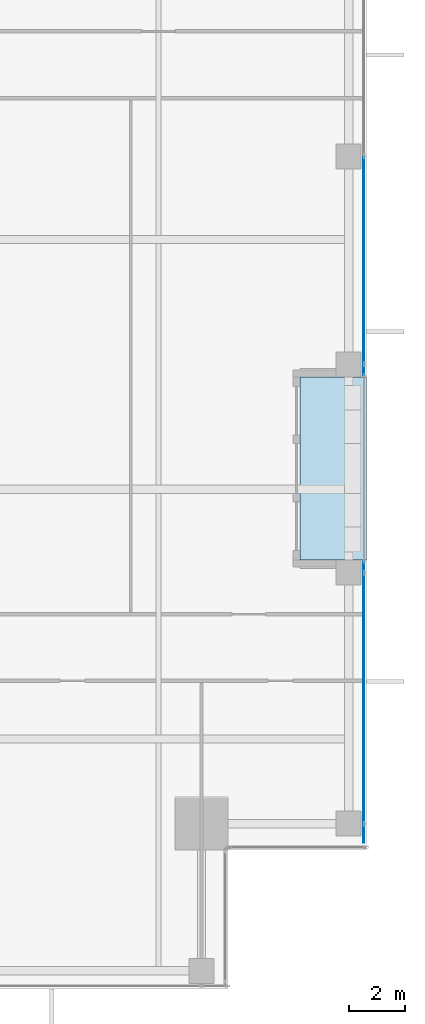
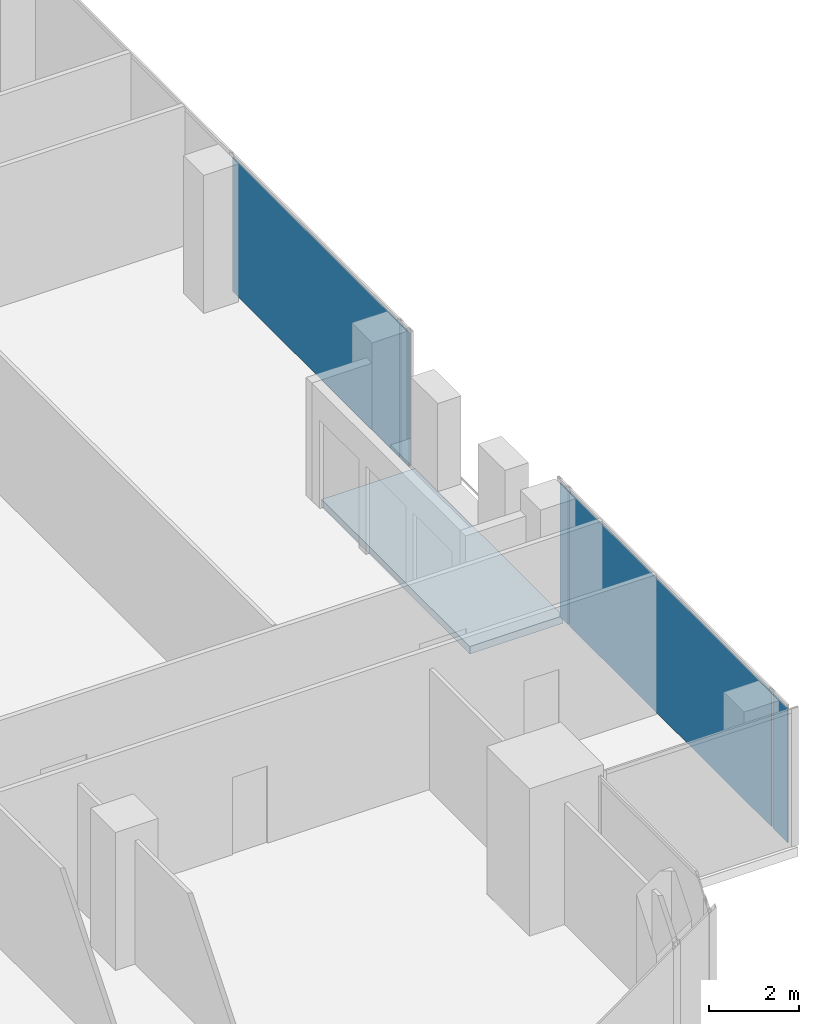
# One storey, part 28 of 36: 5 plates, 1 slab, 2 elements without a shape of their own.
"""IFC4 building model written with IfcOpenShell, lengths in metres."""

from ifc_helpers import new_model, si_unit, direction, frame, origin, origin_2d, place, context, subcontext, project, spatial, polyline, rectangle, outline, extrude, source, transform, mapped, material, layer, layer_set, type_object, element, aggregate, save


model = new_model("IFC4")

# Units and contexts
model_context = context("Model", 3, precision=1e-05, world=origin(), true_north=direction((0.0, 1.0)))
body_context = subcontext(model_context, "Body", "Model", "MODEL_VIEW")
ifc_project = project(units=[si_unit("LENGTHUNIT", "METRE"), si_unit("AREAUNIT", "SQUARE_METRE"), si_unit("VOLUMEUNIT", "CUBIC_METRE"), si_unit("PLANEANGLEUNIT", "RADIAN"), si_unit("MASSUNIT", "GRAM", prefix="KILO")], contexts=[model_context])

# Site, building, storey
site_placement = place(None, origin())
site = spatial("IfcSite", under=ifc_project, at=site_placement, CompositionType="ELEMENT")
building_placement = place(site_placement, origin())
building = spatial("IfcBuilding", under=site, at=building_placement, Name="Khomas Fold Tower", CompositionType="ELEMENT")
storey_placement = place(building_placement, frame((0.0, 0.0, 230.199951171875)))
storey = spatial("IfcBuildingStorey", under=building, at=storey_placement, Name="L51", CompositionType="ELEMENT", Elevation=230.199951171875)

# Curtain wall, plate
ifc_material_1 = material(Name="Aluminium framed double glazing", Category="aluminium")
curtain_wall_type = type_object("IfcCurtainWallType", Name="SK-Unitised clear-glass wall, office floors CW2", PredefinedType="NOTDEFINED", material=ifc_material_1)
curtain_wall_1_placement = place(storey_placement, origin())
curtain_wall_1 = element("IfcCurtainWall", 1, at=curtain_wall_1_placement, inside=storey, type_object=curtain_wall_type, Name="CW2 run L51 03-0", PredefinedType="NOTDEFINED")
ifc_material_2 = material(Name="Clear double glazed unit")
ifc_layer_1 = layer(ifc_material_2, 0.030029296875)
ifc_layer_set_1 = layer_set([ifc_layer_1], Name="Clear double glazed unit")
plate_type = type_object("IfcPlateType", Name="SK-Unitised clear-glass wall, office floors glass panel CW2-P", PredefinedType="CURTAIN_PANEL", material=ifc_layer_set_1)
shared_shape_1 = source(origin(), body_context, "Body", "SweptSolid", [
    extrude(rectangle(XDim=0.659912109375, YDim=0.030029296875, at=origin_2d()), origin(), (0.0, 0.0, 1.0), 3.639892578125),
])
plate_1_placement = place(storey_placement, frame((49.39990234375, 10.090087890625, 0.0), z_axis=(0.0, 0.0, 1.0), x_axis=(0.0, 1.0, 0.0)))
plate_1 = element("IfcPlate", 2, at=plate_1_placement, type_object=plate_type, Name="CW2 glass panel 1", PredefinedType="CURTAIN_PANEL", context=body_context, shape_type="MappedRepresentation", body=[
    mapped(shared_shape_1, transform((0.0, 0.0, 0.0))),
])

curtain_wall_2_placement = place(storey_placement, origin())
curtain_wall_2 = element("IfcCurtainWall", 3, at=curtain_wall_2_placement, inside=storey, type_object=curtain_wall_type, Name="CW2 run L51 03-1", PredefinedType="NOTDEFINED")
shared_shape_2 = source(origin(), body_context, "Body", "SweptSolid", [
    extrude(rectangle(XDim=7.43994140625, YDim=0.030029296875, at=origin_2d()), origin(), (0.0, 0.0, 1.0), 3.639892578125),
])
plate_2_placement = place(storey_placement, frame((49.39990234375, 30.75, 0.0), z_axis=(0.0, 0.0, 1.0), x_axis=(0.0, 1.0, 0.0)))
plate_2 = element("IfcPlate", 4, at=plate_2_placement, type_object=plate_type, Name="CW2 glass panel 2", PredefinedType="CURTAIN_PANEL", context=body_context, shape_type="MappedRepresentation", body=[
    mapped(shared_shape_2, transform((0.0, 0.0, 0.0))),
])

# Plate
shared_shape_3 = source(origin(), body_context, "Body", "SweptSolid", [
    extrude(rectangle(XDim=8.989990234375, YDim=0.030029296875, at=origin_2d()), origin(), (0.0, 0.0, 1.0), 3.639892578125),
])
plate_3_placement = place(storey_placement, frame((49.39990234375, 14.97509765625, 0.0), z_axis=(0.0, 0.0, 1.0), x_axis=(0.0, 1.0, 0.0)))
plate_3 = element("IfcPlate", 5, at=plate_3_placement, type_object=plate_type, Name="CW2 glass panel 2", PredefinedType="CURTAIN_PANEL", context=body_context, shape_type="MappedRepresentation", body=[
    mapped(shared_shape_3, transform((0.0, 0.0, 0.0))),
])

shared_shape_4 = source(origin(), body_context, "Body", "SweptSolid", [
    extrude(rectangle(XDim=0.360107421875, YDim=0.030029296875, at=origin_2d()), origin(), (0.0, 0.0, 1.0), 3.639892578125),
])
plate_4_placement = place(storey_placement, frame((49.39990234375, 19.7099609375, 0.0), z_axis=(0.0, 0.0, 1.0), x_axis=(0.0, 1.0, 0.0)))
plate_4 = element("IfcPlate", 6, at=plate_4_placement, type_object=plate_type, Name="CW2 glass panel 3", PredefinedType="CURTAIN_PANEL", context=body_context, shape_type="MappedRepresentation", body=[
    mapped(shared_shape_4, transform((0.0, 0.0, 0.0))),
])

aggregate(curtain_wall_1, [plate_1, plate_3, plate_4])

plate_5_placement = place(storey_placement, frame((49.39990234375, 26.7900390625, 0.0), z_axis=(0.0, 0.0, 1.0), x_axis=(0.0, 1.0, 0.0)))
plate_5 = element("IfcPlate", 7, at=plate_5_placement, type_object=plate_type, Name="CW2 glass panel 1", PredefinedType="CURTAIN_PANEL", context=body_context, shape_type="MappedRepresentation", body=[
    mapped(shared_shape_4, transform((0.0, 0.0, 0.0))),
])

aggregate(curtain_wall_2, [plate_5, plate_2])

# Slab
ifc_material_3 = material(Name="Concrete C40/50", Category="concrete")
ifc_layer_2 = layer(ifc_material_3, 0.205078125)
ifc_layer_set_2 = layer_set([ifc_layer_2], Name="Concrete C40/50")
slab_type = type_object("IfcSlabType", Name="BL-Balcony deck 205", PredefinedType="FLOOR", material=ifc_layer_set_2)
shared_shape_5 = source(origin(), body_context, "Body", "SweptSolid", [
    extrude(outline(polyline([(47.10009765625, 19.949951171875), (49.5, 19.949951171875), (49.5, 26.550048828125), (47.10009765625, 26.550048828125), (47.10009765625, 19.949951171875)])), origin(), (0.0, 0.0, 1.0), 0.205078125),
])
slab_placement = place(storey_placement, frame((0.0, 0.0, -0.25)))
element("IfcSlab", 8, at=slab_placement, inside=storey, type_object=slab_type, Name="Balcony deck BAL-L51-E2", PredefinedType="FLOOR", context=body_context, shape_type="MappedRepresentation", body=[
    mapped(shared_shape_5, transform((0.0, 0.0, 0.0))),
])

save(model, "model.ifc")
